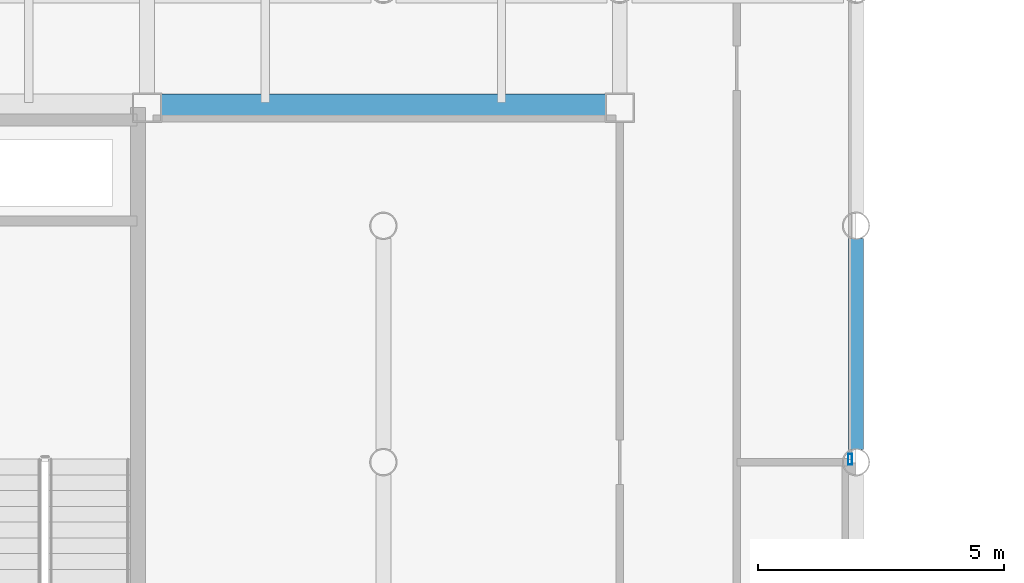
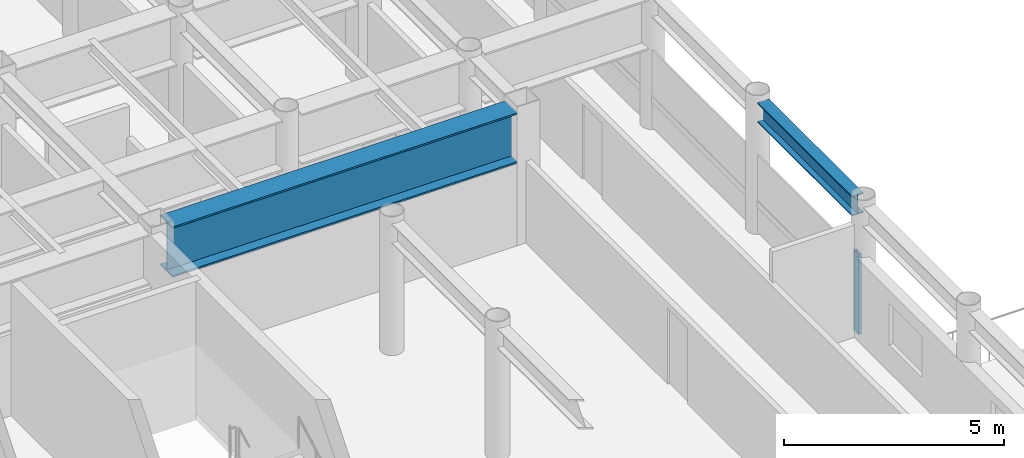
# One storey, part 10 of 25: 2 beams, 1 member, 1 element without a shape of its own.
"""IFC4 building model written with IfcOpenShell, lengths in metres."""

from ifc_helpers import new_model, si_unit, direction, frame, origin, origin_2d, place, context, subcontext, project, spatial, hollow_rectangle, i_section, extrude, material, layer, layer_set, material_profile, profile_set, type_object, element, aggregate, save


model = new_model("IFC4")

# Units and contexts
model_context = context("Model", 3, precision=1e-05, world=origin(), true_north=direction((0.0, 1.0)))
body_context = subcontext(model_context, "Body", "Model", "MODEL_VIEW")
ifc_project = project(units=[si_unit("LENGTHUNIT", "METRE"), si_unit("AREAUNIT", "SQUARE_METRE"), si_unit("VOLUMEUNIT", "CUBIC_METRE"), si_unit("PLANEANGLEUNIT", "RADIAN"), si_unit("MASSUNIT", "GRAM", prefix="KILO")], contexts=[model_context])

# Site, building, storey
site_placement = place(None, origin())
site = spatial("IfcSite", under=ifc_project, at=site_placement, CompositionType="ELEMENT")
building_placement = place(site_placement, origin())
building = spatial("IfcBuilding", under=site, at=building_placement, Name="Kallvorn Hotel Tower", CompositionType="ELEMENT")
storey_placement = place(building_placement, frame((0.0, 0.0, 249.25)))
storey = spatial("IfcBuildingStorey", under=building, at=storey_placement, Name="L62", CompositionType="ELEMENT", Elevation=249.25)

# Beams
ifc_material_1 = material(Name="Structural steel S355JR", Category="steel")
ifc_material_profile_1 = material_profile(ifc_material_1, i_section(OverallWidth=0.300048828125, OverallDepth=0.550048828125, WebThickness=0.014892578125, FlangeThickness=0.029052734375, at=origin_2d()), Name="HE 550 B")
ifc_profile_set_1 = profile_set([ifc_material_profile_1], Name="Structural steel S355JR")
beam_type_1 = type_object("IfcBeamType", Name="BM_HE550B", PredefinedType="SPANDREL", material=ifc_profile_set_1)
beam_1_placement = place(storey_placement, frame((28.800048828125, 0.25439453125, 3.39501953125), z_axis=(0.0, 1.0, 0.0), x_axis=(-1.0, 0.0, 0.0)))
element("IfcBeam", 1, at=beam_1_placement, inside=storey, type_object=beam_type_1, Name="L63 Primary Y-Girder 147", PredefinedType="SPANDREL", context=body_context, shape_type="SweptSolid", body=[
    extrude(i_section(OverallWidth=0.300048828125, OverallDepth=0.550048828125, WebThickness=0.014892578125, FlangeThickness=0.029052734375, at=origin_2d()), origin(), (0.0, 0.0, 1.0), 4.291015625),
])
ifc_material_2 = material(Name="Structural steel S355JR", Category="steel")
ifc_material_profile_2 = material_profile(ifc_material_2, i_section(OverallWidth=0.550048828125, OverallDepth=1.39990234375, WebThickness=0.02490234375, FlangeThickness=0.044921875, at=origin_2d()), Name="PG 1400x550x25x45")
ifc_profile_set_2 = profile_set([ifc_material_profile_2], Name="Structural steel S355JR")
beam_type_2 = type_object("IfcBeamType", Name="BM_PG_1400", PredefinedType="BEAM", material=ifc_profile_set_2)
beam_2_placement = place(storey_placement, frame((14.675048828125, 7.199951171875, 2.969970703125), z_axis=(1.0, 0.0, 0.0), x_axis=(0.0, 1.0, 0.0)))
element("IfcBeam", 2, at=beam_2_placement, inside=storey, type_object=beam_type_2, Name="L63 Primary X-Girder 40", PredefinedType="BEAM", context=body_context, shape_type="SweptSolid", body=[
    extrude(i_section(OverallWidth=0.550048828125, OverallDepth=1.39990234375, WebThickness=0.02490234375, FlangeThickness=0.044921875, at=origin_2d()), origin(), (0.0, 0.0, 1.0), 9.050048828125),
])

# Curtain wall, member
ifc_material_3 = material(Name="Thermally broken black-anodised aluminium AA 6063-T6", Category="aluminium")
ifc_layer = layer(ifc_material_3, 0.22998046875)
ifc_layer_set = layer_set([ifc_layer], Name="CW_SYS_5_HOTEL_HIGH")
curtain_wall_type = type_object("IfcCurtainWallType", Name="CW_SYS_5_HOTEL_HIGH", PredefinedType="USERDEFINED", material=ifc_layer_set)
curtain_wall_placement = place(storey_placement, origin())
curtain_wall = element("IfcCurtainWall", 3, at=curtain_wall_placement, inside=storey, type_object=curtain_wall_type, Name="L62 Dark-Glass Curtain Wall CW-L62-EN", ObjectType="UNITISED CURTAIN WALL", PredefinedType="USERDEFINED")
ifc_material_4 = material(Name="Thermally broken black-anodised aluminium AA 6063-T6", Category="aluminium")
ifc_material_profile_3 = material_profile(ifc_material_4, hollow_rectangle(XDim=0.080078125, YDim=0.219970703125, WallThickness=0.0048828125, at=origin_2d()), Name="MUL 220x80")
ifc_profile_set_3 = profile_set([ifc_material_profile_3], Name="Thermally broken black-anodised aluminium AA 6063-T6")
member_type = type_object("IfcMemberType", Name="CW_MULLION_220x80", PredefinedType="MULLION", material=ifc_profile_set_3)
member_placement = place(storey_placement, frame((28.679931640625, 0.06005859375, 0.02001953125), z_axis=(0.0, 0.0, 1.0), x_axis=(1.0, 0.0, 0.0)))
member = element("IfcMember", 4, at=member_placement, type_object=member_type, Name="CW-L62-EN Mullion 00", PredefinedType="MULLION", context=body_context, shape_type="SweptSolid", body=[
    extrude(hollow_rectangle(XDim=0.080078125, YDim=0.219970703125, WallThickness=0.0048828125, at=origin_2d()), origin(), (0.0, 0.0, 1.0), 2.22998046875),
])
aggregate(curtain_wall, [member])

save(model, "model.ifc")
